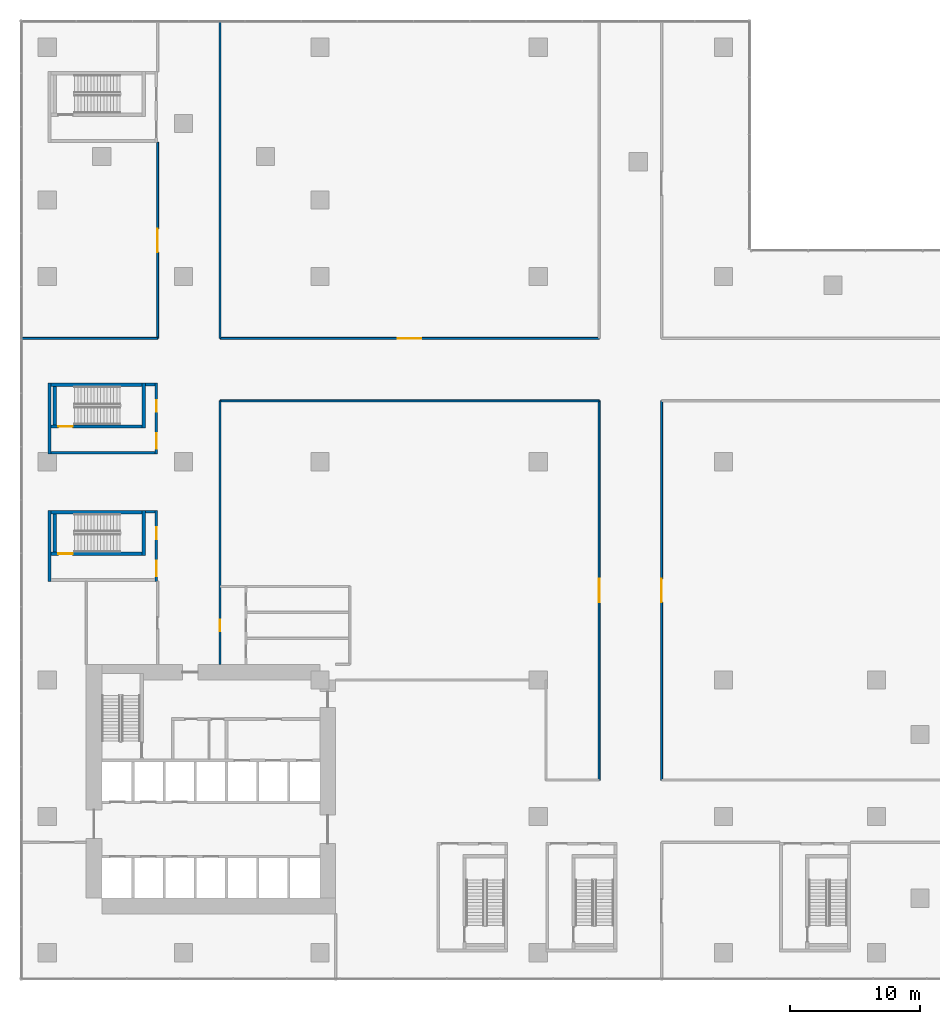
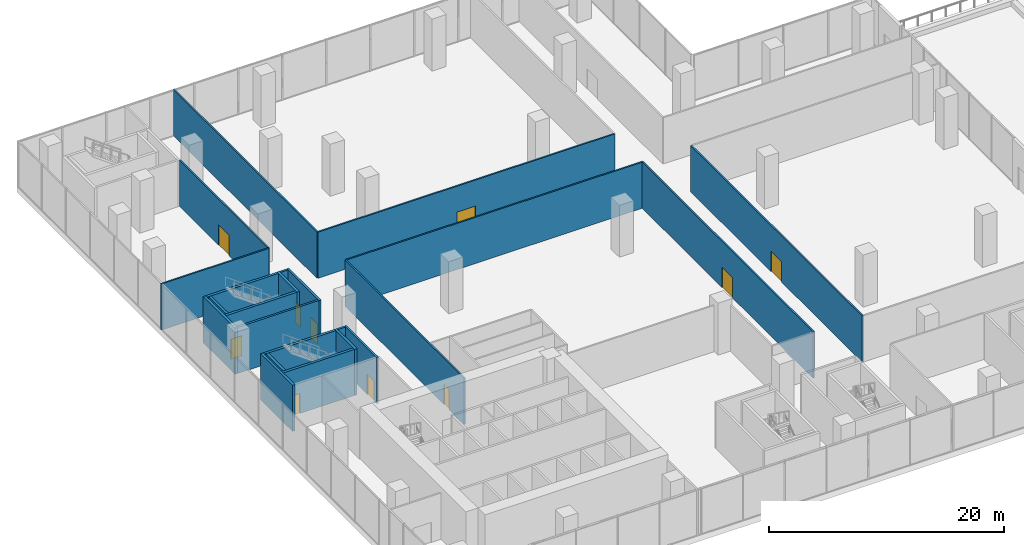
# One storey, part 15 of 23: 23 walls, 11 doors, 11 openings.
"""IFC4 building model written with IfcOpenShell, lengths in metres."""

from ifc_helpers import new_model, si_unit, direction, frame, frame_2d, origin, place, context, subcontext, project, spatial, rectangle, extrude, source, transform, mapped, material, layer, layer_set, type_object, element, fill, save


model = new_model("IFC4")

# Units and contexts
model_context = context("Model", 3, precision=1e-05, world=origin(), true_north=direction((0.0, 1.0)))
body_context = subcontext(model_context, "Body", "Model", "MODEL_VIEW")
ifc_project = project(units=[si_unit("LENGTHUNIT", "METRE"), si_unit("AREAUNIT", "SQUARE_METRE"), si_unit("VOLUMEUNIT", "CUBIC_METRE"), si_unit("PLANEANGLEUNIT", "RADIAN"), si_unit("MASSUNIT", "GRAM", prefix="KILO")], contexts=[model_context])

# Site, building, storey
site_placement = place(None, origin())
site = spatial("IfcSite", under=ifc_project, at=site_placement, CompositionType="ELEMENT")
building_placement = place(site_placement, origin())
building = spatial("IfcBuilding", under=site, at=building_placement, Name="Aurelian Terraces", CompositionType="ELEMENT")
storey_placement = place(building_placement, frame((0.0, 0.0, 18.3)))
storey = spatial("IfcBuildingStorey", under=building, at=storey_placement, Name="L03", CompositionType="ELEMENT", Elevation=18.3)

# Wall, opening, door
ifc_material_1 = material(Name="Concrete fc' 40 MPa", Category="concrete")
ifc_layer_1 = layer(ifc_material_1, 0.25)
ifc_layer_set_1 = layer_set([ifc_layer_1], Name="Stair enclosure wall 250")
wall_type_1 = type_object("IfcWallType", Name="Stair enclosure wall 250", PredefinedType="SOLIDWALL", material=ifc_layer_set_1)
shared_shape_1 = source(origin(), body_context, "Body", "SweptSolid", [
    extrude(rectangle(XDim=7.0, YDim=0.25, at=frame_2d((3.5, 0.0))), origin(), (0.0, 0.0, 1.0), 4.8),
])
wall_1_placement = place(storey_placement, frame((0.3, 40.525, 0.0), z_axis=(0.0, 0.0, 1.0), x_axis=(1.0, 0.0, 0.0)))
wall_1 = element("IfcWall", 1, at=wall_1_placement, inside=storey, type_object=wall_type_1, Name="L03 core wall ST-S3-W", PredefinedType="SOLIDWALL", context=body_context, shape_type="MappedRepresentation", body=[
    mapped(shared_shape_1, transform((0.0, 0.0, 0.0), scale=1.0)),
])
shared_shape_2 = source(origin(), body_context, "Body", "SweptSolid", [
    extrude(rectangle(XDim=1.1, YDim=2.1, at=frame_2d((0.55, 1.05))), frame((0.0, 0.135, 0.0), z_axis=(0.0, -1.0, 0.0), x_axis=(1.0, 0.0, 0.0)), (0.0, 0.0, 1.0), 0.27),
])
opening_1_placement = place(wall_1_placement, frame((0.55, 0.0, 0.0)))
opening_1 = element("IfcOpeningElement", 2, at=opening_1_placement, cuts=wall_1, Name="Opening 60617", PredefinedType="OPENING", context=body_context, shape_type="MappedRepresentation", body=[
    mapped(shared_shape_2, transform((0.0, 0.0, 0.0), scale=1.0)),
])
ifc_material_2 = material(Name="Steel door leaf", Category="steel")
door_type_1 = type_object("IfcDoorType", Name="Core fire door 1100x2100 right", OperationType="SINGLE_SWING_RIGHT", PredefinedType="DOOR", material=ifc_material_2)
shared_shape_3 = source(origin(), body_context, "Body", "SweptSolid", [
    extrude(rectangle(XDim=1.1, YDim=2.1, at=frame_2d((0.55, 1.05))), frame((0.0, 0.025, 0.0), z_axis=(0.0, -1.0, 0.0), x_axis=(1.0, 0.0, 0.0)), (0.0, 0.0, 1.0), 0.05),
])
door_1_placement = place(opening_1_placement, origin())
door_1 = element("IfcDoor", 3, at=door_1_placement, inside=storey, type_object=door_type_1, Name="Stair door 60617", OperationType="SINGLE_SWING_RIGHT", OverallHeight=2.1, OverallWidth=1.1, PredefinedType="DOOR", context=body_context, shape_type="MappedRepresentation", body=[
    mapped(shared_shape_3, transform((0.0, 0.0, 0.0), scale=1.0)),
])
fill(opening_1, door_1)

# Wall
wall_2_placement = place(storey_placement, frame((0.3, 43.725, 0.0), z_axis=(0.0, 0.0, 1.0), x_axis=(1.0, 0.0, 0.0)))
element("IfcWall", 4, at=wall_2_placement, inside=storey, type_object=wall_type_1, Name="L03 core wall ST-S3-E", PredefinedType="SOLIDWALL", context=body_context, shape_type="MappedRepresentation", body=[
    mapped(shared_shape_1, transform((0.0, 0.0, 0.0), scale=1.0)),
])

# Wall, opening, door
wall_3_placement = place(storey_placement, frame((0.3, 30.725, 0.0), z_axis=(0.0, 0.0, 1.0), x_axis=(1.0, 0.0, 0.0)))
wall_3 = element("IfcWall", 5, at=wall_3_placement, inside=storey, type_object=wall_type_1, Name="L03 core wall ST-S4-W", PredefinedType="SOLIDWALL", context=body_context, shape_type="MappedRepresentation", body=[
    mapped(shared_shape_1, transform((0.0, 0.0, 0.0), scale=1.0)),
])
opening_2_placement = place(wall_3_placement, frame((0.55, 0.0, 0.0)))
opening_2 = element("IfcOpeningElement", 6, at=opening_2_placement, cuts=wall_3, Name="Opening 60620", PredefinedType="OPENING", context=body_context, shape_type="MappedRepresentation", body=[
    mapped(shared_shape_2, transform((0.0, 0.0, 0.0), scale=1.0)),
])
door_type_2 = type_object("IfcDoorType", Name="Core fire door 1100x2100", OperationType="SINGLE_SWING_LEFT", PredefinedType="DOOR", material=ifc_material_2)
door_2_placement = place(opening_2_placement, origin())
door_2 = element("IfcDoor", 7, at=door_2_placement, inside=storey, type_object=door_type_2, Name="Stair door 60620", OperationType="SINGLE_SWING_LEFT", OverallHeight=2.1, OverallWidth=1.1, PredefinedType="DOOR", context=body_context, shape_type="MappedRepresentation", body=[
    mapped(shared_shape_3, transform((0.0, 0.0, 0.0), scale=1.0)),
])
fill(opening_2, door_2)

# Walls
wall_4_placement = place(storey_placement, frame((0.3, 33.925, 0.0), z_axis=(0.0, 0.0, 1.0), x_axis=(1.0, 0.0, 0.0)))
element("IfcWall", 8, at=wall_4_placement, inside=storey, type_object=wall_type_1, Name="L03 core wall ST-S4-E", PredefinedType="SOLIDWALL", context=body_context, shape_type="MappedRepresentation", body=[
    mapped(shared_shape_1, transform((0.0, 0.0, 0.0), scale=1.0)),
])
shared_shape_4 = source(origin(), body_context, "Body", "SweptSolid", [
    extrude(rectangle(XDim=3.45, YDim=0.25, at=frame_2d((1.725, 0.0))), origin(), (0.0, 0.0, 1.0), 4.8),
])
for number, where, z_axis, x_axis, name in (
    (9, (7.425, 40.4, 0.0), (0.0, 0.0, 1.0), (0.0, 1.0, 0.0), "L03 core wall ST-S3-N"),
    (10, (7.425, 30.6, 0.0), (0.0, 0.0, 1.0), (0.0, 1.0, 0.0), "L03 core wall ST-S4-N"),
):
    element("IfcWall", number, at=place(storey_placement, frame(where, z_axis=z_axis, x_axis=x_axis)), inside=storey, type_object=wall_type_1, Name=name, PredefinedType="SOLIDWALL", context=body_context, shape_type="MappedRepresentation", body=[
        mapped(shared_shape_4, transform((0.0, 0.0, 0.0), scale=1.0)),
    ])
shared_shape_5 = source(origin(), body_context, "Body", "SweptSolid", [
    extrude(rectangle(XDim=2.95, YDim=0.25, at=frame_2d((1.475, 0.0))), origin(), (0.0, 0.0, 1.0), 4.8),
])
for number, where, z_axis, x_axis, name in (
    (11, (0.575, 40.65, 0.0), (0.0, 0.0, 1.0), (0.0, 1.0, 0.0), "L03 core wall ST-S3-SS"),
    (12, (0.575, 30.85, 0.0), (0.0, 0.0, 1.0), (0.0, 1.0, 0.0), "L03 core wall ST-S4-SS"),
):
    element("IfcWall", number, at=place(storey_placement, frame(where, z_axis=z_axis, x_axis=x_axis)), inside=storey, type_object=wall_type_1, Name=name, PredefinedType="SOLIDWALL", context=body_context, shape_type="MappedRepresentation", body=[
        mapped(shared_shape_5, transform((0.0, 0.0, 0.0), scale=1.0)),
    ])
ifc_material_3 = material(Name="Gypsum board on steel studs", Category="steel")
ifc_layer_2 = layer(ifc_material_3, 0.2)
ifc_layer_set_2 = layer_set([ifc_layer_2], Name="Core partition 200")
wall_type_2 = type_object("IfcWallType", Name="Core partition 200", PredefinedType="PARTITIONING", material=ifc_layer_set_2)
shared_shape_6 = source(origin(), body_context, "Body", "SweptSolid", [
    extrude(rectangle(XDim=8.0, YDim=0.2, at=frame_2d((4.0, 0.0))), origin(), (0.0, 0.0, 1.0), 4.8),
])
wall_5_placement = place(storey_placement, frame((0.3, 38.5, 0.0), z_axis=(0.0, 0.0, 1.0), x_axis=(1.0, 0.0, 0.0)))
element("IfcWall", 13, at=wall_5_placement, inside=storey, type_object=wall_type_2, Name="L03 core wall ST-S3-VW", PredefinedType="PARTITIONING", context=body_context, shape_type="MappedRepresentation", body=[
    mapped(shared_shape_6, transform((0.0, 0.0, 0.0), scale=1.0)),
])

# Wall, openings, doors
shared_shape_7 = source(origin(), body_context, "Body", "SweptSolid", [
    extrude(rectangle(XDim=5.45, YDim=0.2, at=frame_2d((2.725, 0.0))), origin(), (0.0, 0.0, 1.0), 4.8),
])
wall_6_placement = place(storey_placement, frame((8.4, 38.4, 0.0), z_axis=(0.0, 0.0, 1.0), x_axis=(0.0, 1.0, 0.0)))
wall_6 = element("IfcWall", 14, at=wall_6_placement, inside=storey, type_object=wall_type_2, Name="L03 core wall ST-S3-BN", PredefinedType="PARTITIONING", context=body_context, shape_type="MappedRepresentation", body=[
    mapped(shared_shape_7, transform((0.0, 0.0, 0.0), scale=1.0)),
])
shared_shape_8 = source(origin(), body_context, "Body", "SweptSolid", [
    extrude(rectangle(XDim=1.2, YDim=2.1, at=frame_2d((0.6, 1.05))), frame((0.0, 0.11, 0.0), z_axis=(0.0, -1.0, 0.0), x_axis=(1.0, 0.0, 0.0)), (0.0, 0.0, 1.0), 0.22),
])
opening_3_placement = place(wall_6_placement, frame((0.4, 0.0, 0.0)))
opening_3 = element("IfcOpeningElement", 15, at=opening_3_placement, cuts=wall_6, Name="Opening 60618", PredefinedType="OPENING", context=body_context, shape_type="MappedRepresentation", body=[
    mapped(shared_shape_8, transform((0.0, 0.0, 0.0), scale=1.0)),
])
shared_shape_9 = source(origin(), body_context, "Body", "SweptSolid", [
    extrude(rectangle(XDim=0.9, YDim=2.1, at=frame_2d((0.45, 1.05))), frame((0.0, 0.11, 0.0), z_axis=(0.0, -1.0, 0.0), x_axis=(1.0, 0.0, 0.0)), (0.0, 0.0, 1.0), 0.22),
])
opening_4_placement = place(wall_6_placement, frame((3.25, 0.0, 0.0)))
opening_4 = element("IfcOpeningElement", 16, at=opening_4_placement, cuts=wall_6, Name="Opening 60619", PredefinedType="OPENING", context=body_context, shape_type="MappedRepresentation", body=[
    mapped(shared_shape_9, transform((0.0, 0.0, 0.0), scale=1.0)),
])
door_type_3 = type_object("IfcDoorType", Name="Core riser door 900x2100 right", OperationType="SINGLE_SWING_RIGHT", PredefinedType="DOOR", material=ifc_material_2)
shared_shape_10 = source(origin(), body_context, "Body", "SweptSolid", [
    extrude(rectangle(XDim=0.9, YDim=2.1, at=frame_2d((0.45, 1.05))), frame((0.0, 0.025, 0.0), z_axis=(0.0, -1.0, 0.0), x_axis=(1.0, 0.0, 0.0)), (0.0, 0.0, 1.0), 0.05),
])
door_3_placement = place(opening_4_placement, origin())
door_3 = element("IfcDoor", 17, at=door_3_placement, inside=storey, type_object=door_type_3, Name="Riser door 60619", OperationType="SINGLE_SWING_RIGHT", OverallHeight=2.1, OverallWidth=0.9, PredefinedType="DOOR", context=body_context, shape_type="MappedRepresentation", body=[
    mapped(shared_shape_10, transform((0.0, 0.0, 0.0), scale=1.0)),
])
fill(opening_4, door_3)
door_type_4 = type_object("IfcDoorType", Name="Core fire door 1200x2100", OperationType="SINGLE_SWING_LEFT", PredefinedType="DOOR", material=ifc_material_2)
shared_shape_11 = source(origin(), body_context, "Body", "SweptSolid", [
    extrude(rectangle(XDim=1.2, YDim=2.1, at=frame_2d((0.6, 1.05))), frame((0.0, 0.025, 0.0), z_axis=(0.0, -1.0, 0.0), x_axis=(1.0, 0.0, 0.0)), (0.0, 0.0, 1.0), 0.05),
])
door_4_placement = place(opening_3_placement, origin())
door_4 = element("IfcDoor", 18, at=door_4_placement, inside=storey, type_object=door_type_4, Name="Vestibule door 60618", OperationType="SINGLE_SWING_LEFT", OverallHeight=2.1, OverallWidth=1.2, PredefinedType="DOOR", context=body_context, shape_type="MappedRepresentation", body=[
    mapped(shared_shape_11, transform((0.0, 0.0, 0.0), scale=1.0)),
])
fill(opening_3, door_4)

wall_7_placement = place(storey_placement, frame((8.4, 28.6, 0.0), z_axis=(0.0, 0.0, 1.0), x_axis=(0.0, 1.0, 0.0)))
wall_7 = element("IfcWall", 19, at=wall_7_placement, inside=storey, type_object=wall_type_2, Name="L03 core wall ST-S4-BN", PredefinedType="PARTITIONING", context=body_context, shape_type="MappedRepresentation", body=[
    mapped(shared_shape_7, transform((0.0, 0.0, 0.0), scale=1.0)),
])
opening_5_placement = place(wall_7_placement, frame((0.4, 0.0, 0.0)))
opening_5 = element("IfcOpeningElement", 20, at=opening_5_placement, cuts=wall_7, Name="Opening 60621", PredefinedType="OPENING", context=body_context, shape_type="MappedRepresentation", body=[
    mapped(shared_shape_8, transform((0.0, 0.0, 0.0), scale=1.0)),
])
opening_6_placement = place(wall_7_placement, frame((3.25, 0.0, 0.0)))
opening_6 = element("IfcOpeningElement", 21, at=opening_6_placement, cuts=wall_7, Name="Opening 60622", PredefinedType="OPENING", context=body_context, shape_type="MappedRepresentation", body=[
    mapped(shared_shape_9, transform((0.0, 0.0, 0.0), scale=1.0)),
])
door_type_5 = type_object("IfcDoorType", Name="Core riser door 900x2100", OperationType="SINGLE_SWING_LEFT", PredefinedType="DOOR", material=ifc_material_2)
door_5_placement = place(opening_6_placement, origin())
door_5 = element("IfcDoor", 22, at=door_5_placement, inside=storey, type_object=door_type_5, Name="Riser door 60622", OperationType="SINGLE_SWING_LEFT", OverallHeight=2.1, OverallWidth=0.9, PredefinedType="DOOR", context=body_context, shape_type="MappedRepresentation", body=[
    mapped(shared_shape_10, transform((0.0, 0.0, 0.0), scale=1.0)),
])
fill(opening_6, door_5)
door_type_6 = type_object("IfcDoorType", Name="Core fire door 1200x2100 right", OperationType="SINGLE_SWING_RIGHT", PredefinedType="DOOR", material=ifc_material_2)
door_6_placement = place(opening_5_placement, origin())
door_6 = element("IfcDoor", 23, at=door_6_placement, inside=storey, type_object=door_type_6, Name="Vestibule door 60621", OperationType="SINGLE_SWING_RIGHT", OverallHeight=2.1, OverallWidth=1.2, PredefinedType="DOOR", context=body_context, shape_type="MappedRepresentation", body=[
    mapped(shared_shape_11, transform((0.0, 0.0, 0.0), scale=1.0)),
])
fill(opening_5, door_6)

# Walls
shared_shape_12 = source(origin(), body_context, "Body", "SweptSolid", [
    extrude(rectangle(XDim=0.75, YDim=0.2, at=frame_2d((0.375, 0.0))), origin(), (0.0, 0.0, 1.0), 4.8),
])
for number, where, z_axis, x_axis, name in (
    (24, (7.55, 43.75, 0.0), (0.0, 0.0, 1.0), (1.0, 0.0, 0.0), "L03 core wall ST-S3-RE"),
    (25, (7.55, 33.95, 0.0), (0.0, 0.0, 1.0), (1.0, 0.0, 0.0), "L03 core wall ST-S4-RE"),
):
    element("IfcWall", number, at=place(storey_placement, frame(where, z_axis=z_axis, x_axis=x_axis)), inside=storey, type_object=wall_type_2, Name=name, PredefinedType="PARTITIONING", context=body_context, shape_type="MappedRepresentation", body=[
        mapped(shared_shape_12, transform((0.0, 0.0, 0.0), scale=1.0)),
    ])
shared_shape_13 = source(origin(), body_context, "Body", "SweptSolid", [
    extrude(rectangle(XDim=5.45, YDim=0.25, at=frame_2d((2.725, 0.0))), origin(), (0.0, 0.0, 1.0), 4.8),
])
for number, where, z_axis, x_axis, name in (
    (26, (0.175, 38.4, 0.0), (0.0, 0.0, 1.0), (0.0, 1.0, 0.0), "L03 core wall ST-S3-S"),
    (27, (0.175, 28.6, 0.0), (0.0, 0.0, 1.0), (0.0, 1.0, 0.0), "L03 core wall ST-S4-S"),
):
    element("IfcWall", number, at=place(storey_placement, frame(where, z_axis=z_axis, x_axis=x_axis)), inside=storey, type_object=wall_type_1, Name=name, PredefinedType="SOLIDWALL", context=body_context, shape_type="MappedRepresentation", body=[
        mapped(shared_shape_13, transform((0.0, 0.0, 0.0), scale=1.0)),
    ])
ifc_layer_3 = layer(ifc_material_3, 0.15)
ifc_layer_set_3 = layer_set([ifc_layer_3], Name="Special partition 150")
wall_type_3 = type_object("IfcWallType", Name="Special partition 150", PredefinedType="PARTITIONING", material=ifc_layer_set_3)
shared_shape_14 = source(origin(), body_context, "Body", "SweptSolid", [
    extrude(rectangle(XDim=29.2, YDim=0.15, at=frame_2d((14.6, 0.0))), origin(), (0.0, 0.0, 1.0), 4.8),
])
wall_8_placement = place(storey_placement, frame((13.3, 42.5, 0.0), z_axis=(0.0, 0.0, 1.0), x_axis=(1.0, 0.0, 0.0)))
element("IfcWall", 28, at=wall_8_placement, inside=storey, type_object=wall_type_3, Name="L03 partition W11", PredefinedType="PARTITIONING", context=body_context, shape_type="MappedRepresentation", body=[
    mapped(shared_shape_14, transform((0.0, 0.0, 0.0), scale=1.0)),
])

# Wall, opening, door
wall_9_placement = place(storey_placement, frame((13.3, 47.3, 0.0), z_axis=(0.0, 0.0, 1.0), x_axis=(1.0, 0.0, 0.0)))
wall_9 = element("IfcWall", 29, at=wall_9_placement, inside=storey, type_object=wall_type_3, Name="L03 partition W14", PredefinedType="PARTITIONING", context=body_context, shape_type="MappedRepresentation", body=[
    mapped(shared_shape_14, transform((0.0, 0.0, 0.0), scale=1.0)),
])
shared_shape_15 = source(origin(), body_context, "Body", "SweptSolid", [
    extrude(rectangle(XDim=1.8, YDim=2.1, at=frame_2d((0.9, 1.05))), frame((0.0, 0.085, 0.0), z_axis=(0.0, -1.0, 0.0), x_axis=(1.0, 0.0, 0.0)), (0.0, 0.0, 1.0), 0.17),
])
opening_7_placement = place(wall_9_placement, frame((13.7, 0.0, 0.0)))
opening_7 = element("IfcOpeningElement", 30, at=opening_7_placement, cuts=wall_9, Name="Opening 70602", PredefinedType="OPENING", context=body_context, shape_type="MappedRepresentation", body=[
    mapped(shared_shape_15, transform((0.0, 0.0, 0.0), scale=1.0)),
])
ifc_material_4 = material(Name="Timber door leaf", Category="wood")
door_type_7 = type_object("IfcDoorType", Name="Special double door 1800x2100", OperationType="DOUBLE_DOOR_SINGLE_SWING", PredefinedType="DOOR", material=ifc_material_4)
shared_shape_16 = source(origin(), body_context, "Body", "SweptSolid", [
    extrude(rectangle(XDim=1.8, YDim=2.1, at=frame_2d((0.9, 1.05))), frame((0.0, 0.025, 0.0), z_axis=(0.0, -1.0, 0.0), x_axis=(1.0, 0.0, 0.0)), (0.0, 0.0, 1.0), 0.05),
])
door_7_placement = place(opening_7_placement, origin())
door_7 = element("IfcDoor", 31, at=door_7_placement, inside=storey, type_object=door_type_7, Name="Door 70602", OperationType="DOUBLE_DOOR_SINGLE_SWING", OverallHeight=2.1, OverallWidth=1.8, PredefinedType="DOOR", context=body_context, shape_type="MappedRepresentation", body=[
    mapped(shared_shape_16, transform((0.0, 0.0, 0.0), scale=1.0)),
])
fill(opening_7, door_7)

wall_10_placement = place(storey_placement, frame((42.5, 13.3, 0.0), z_axis=(0.0, 0.0, 1.0), x_axis=(0.0, 1.0, 0.0)))
wall_10 = element("IfcWall", 32, at=wall_10_placement, inside=storey, type_object=wall_type_3, Name="L03 partition W26", PredefinedType="PARTITIONING", context=body_context, shape_type="MappedRepresentation", body=[
    mapped(shared_shape_14, transform((0.0, 0.0, 0.0), scale=1.0)),
])
opening_8_placement = place(wall_10_placement, frame((13.7, 0.0, 0.0)))
opening_8 = element("IfcOpeningElement", 33, at=opening_8_placement, cuts=wall_10, Name="Opening 70609", PredefinedType="OPENING", context=body_context, shape_type="MappedRepresentation", body=[
    mapped(shared_shape_15, transform((0.0, 0.0, 0.0), scale=1.0)),
])
door_8_placement = place(opening_8_placement, origin())
door_8 = element("IfcDoor", 34, at=door_8_placement, inside=storey, type_object=door_type_7, Name="Door 70609", OperationType="DOUBLE_DOOR_SINGLE_SWING", OverallHeight=2.1, OverallWidth=1.8, PredefinedType="DOOR", context=body_context, shape_type="MappedRepresentation", body=[
    mapped(shared_shape_16, transform((0.0, 0.0, 0.0), scale=1.0)),
])
fill(opening_8, door_8)

wall_11_placement = place(storey_placement, frame((47.3, 13.3, 0.0), z_axis=(0.0, 0.0, 1.0), x_axis=(0.0, 1.0, 0.0)))
wall_11 = element("IfcWall", 35, at=wall_11_placement, inside=storey, type_object=wall_type_3, Name="L03 partition W29", PredefinedType="PARTITIONING", context=body_context, shape_type="MappedRepresentation", body=[
    mapped(shared_shape_14, transform((0.0, 0.0, 0.0), scale=1.0)),
])
opening_9_placement = place(wall_11_placement, frame((13.7, 0.0, 0.0)))
opening_9 = element("IfcOpeningElement", 36, at=opening_9_placement, cuts=wall_11, Name="Opening 70611", PredefinedType="OPENING", context=body_context, shape_type="MappedRepresentation", body=[
    mapped(shared_shape_15, transform((0.0, 0.0, 0.0), scale=1.0)),
])
door_9_placement = place(opening_9_placement, origin())
door_9 = element("IfcDoor", 37, at=door_9_placement, inside=storey, type_object=door_type_7, Name="Door 70611", OperationType="DOUBLE_DOOR_SINGLE_SWING", OverallHeight=2.1, OverallWidth=1.8, PredefinedType="DOOR", context=body_context, shape_type="MappedRepresentation", body=[
    mapped(shared_shape_16, transform((0.0, 0.0, 0.0), scale=1.0)),
])
fill(opening_9, door_9)

# Wall
shared_shape_17 = source(origin(), body_context, "Body", "SweptSolid", [
    extrude(rectangle(XDim=10.6, YDim=0.15, at=frame_2d((5.3, 0.0))), origin(), (0.0, 0.0, 1.0), 4.8),
])
wall_12_placement = place(storey_placement, frame((-2.1, 47.3, 0.0), z_axis=(0.0, 0.0, 1.0), x_axis=(1.0, 0.0, 0.0)))
element("IfcWall", 38, at=wall_12_placement, inside=storey, type_object=wall_type_3, Name="L03 partition W13", PredefinedType="PARTITIONING", context=body_context, shape_type="MappedRepresentation", body=[
    mapped(shared_shape_17, transform((0.0, 0.0, 0.0), scale=1.0)),
])

# Wall, opening, door
shared_shape_18 = source(origin(), body_context, "Body", "SweptSolid", [
    extrude(rectangle(XDim=15.1, YDim=0.15, at=frame_2d((7.55, 0.0))), origin(), (0.0, 0.0, 1.0), 4.8),
])
wall_13_placement = place(storey_placement, frame((8.5, 47.3, 0.0), z_axis=(0.0, 0.0, 1.0), x_axis=(0.0, 1.0, 0.0)))
wall_13 = element("IfcWall", 39, at=wall_13_placement, inside=storey, type_object=wall_type_3, Name="L03 partition W18", PredefinedType="PARTITIONING", context=body_context, shape_type="MappedRepresentation", body=[
    mapped(shared_shape_18, transform((0.0, 0.0, 0.0), scale=1.0)),
])
opening_10_placement = place(wall_13_placement, frame((6.65, 0.0, 0.0)))
opening_10 = element("IfcOpeningElement", 40, at=opening_10_placement, cuts=wall_13, Name="Opening 70604", PredefinedType="OPENING", context=body_context, shape_type="MappedRepresentation", body=[
    mapped(shared_shape_15, transform((0.0, 0.0, 0.0), scale=1.0)),
])
door_10_placement = place(opening_10_placement, origin())
door_10 = element("IfcDoor", 41, at=door_10_placement, inside=storey, type_object=door_type_7, Name="Door 70604", OperationType="DOUBLE_DOOR_SINGLE_SWING", OverallHeight=2.1, OverallWidth=1.8, PredefinedType="DOOR", context=body_context, shape_type="MappedRepresentation", body=[
    mapped(shared_shape_16, transform((0.0, 0.0, 0.0), scale=1.0)),
])
fill(opening_10, door_10)

shared_shape_19 = source(origin(), body_context, "Body", "SweptSolid", [
    extrude(rectangle(XDim=20.3, YDim=0.15, at=frame_2d((10.15, 0.0))), origin(), (0.0, 0.0, 1.0), 4.8),
])
wall_14_placement = place(storey_placement, frame((13.3, 22.2, 0.0), z_axis=(0.0, 0.0, 1.0), x_axis=(0.0, 1.0, 0.0)))
wall_14 = element("IfcWall", 42, at=wall_14_placement, inside=storey, type_object=wall_type_3, Name="L03 partition W20", PredefinedType="PARTITIONING", context=body_context, shape_type="MappedRepresentation", body=[
    mapped(shared_shape_19, transform((0.0, 0.0, 0.0), scale=1.0)),
])
shared_shape_20 = source(origin(), body_context, "Body", "SweptSolid", [
    extrude(rectangle(XDim=0.9, YDim=2.1, at=frame_2d((0.45, 1.05))), frame((0.0, 0.085, 0.0), z_axis=(0.0, -1.0, 0.0), x_axis=(1.0, 0.0, 0.0)), (0.0, 0.0, 1.0), 0.17),
])
opening_11_placement = place(wall_14_placement, frame((2.55, 0.0, 0.0)))
opening_11 = element("IfcOpeningElement", 43, at=opening_11_placement, cuts=wall_14, Name="Opening 70605", PredefinedType="OPENING", context=body_context, shape_type="MappedRepresentation", body=[
    mapped(shared_shape_20, transform((0.0, 0.0, 0.0), scale=1.0)),
])
door_type_8 = type_object("IfcDoorType", Name="Special door 900x2100 right", OperationType="SINGLE_SWING_RIGHT", PredefinedType="DOOR", material=ifc_material_4)
door_11_placement = place(opening_11_placement, origin())
door_11 = element("IfcDoor", 44, at=door_11_placement, inside=storey, type_object=door_type_8, Name="Door 70605", OperationType="SINGLE_SWING_RIGHT", OverallHeight=2.1, OverallWidth=0.9, PredefinedType="DOOR", context=body_context, shape_type="MappedRepresentation", body=[
    mapped(shared_shape_10, transform((0.0, 0.0, 0.0), scale=1.0)),
])
fill(opening_11, door_11)

# Wall
shared_shape_21 = source(origin(), body_context, "Body", "SweptSolid", [
    extrude(rectangle(XDim=24.52, YDim=0.15, at=frame_2d((12.26, 0.0))), origin(), (0.0, 0.0, 1.0), 4.8),
])
wall_15_placement = place(storey_placement, frame((13.3, 47.3, 0.0), z_axis=(0.0, 0.0, 1.0), x_axis=(0.0, 1.0, 0.0)))
element("IfcWall", 45, at=wall_15_placement, inside=storey, type_object=wall_type_3, Name="L03 partition W21", PredefinedType="PARTITIONING", context=body_context, shape_type="MappedRepresentation", body=[
    mapped(shared_shape_21, transform((0.0, 0.0, 0.0), scale=1.0)),
])

save(model, "model.ifc")
